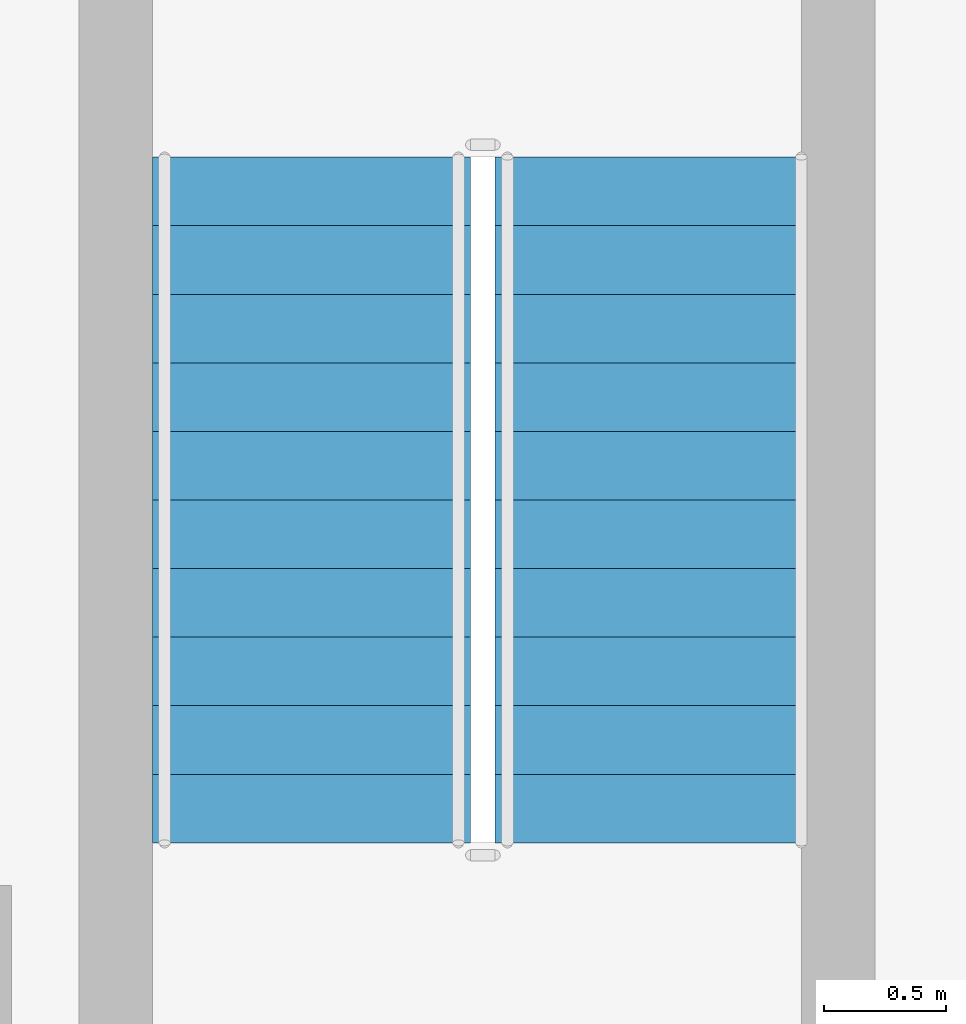
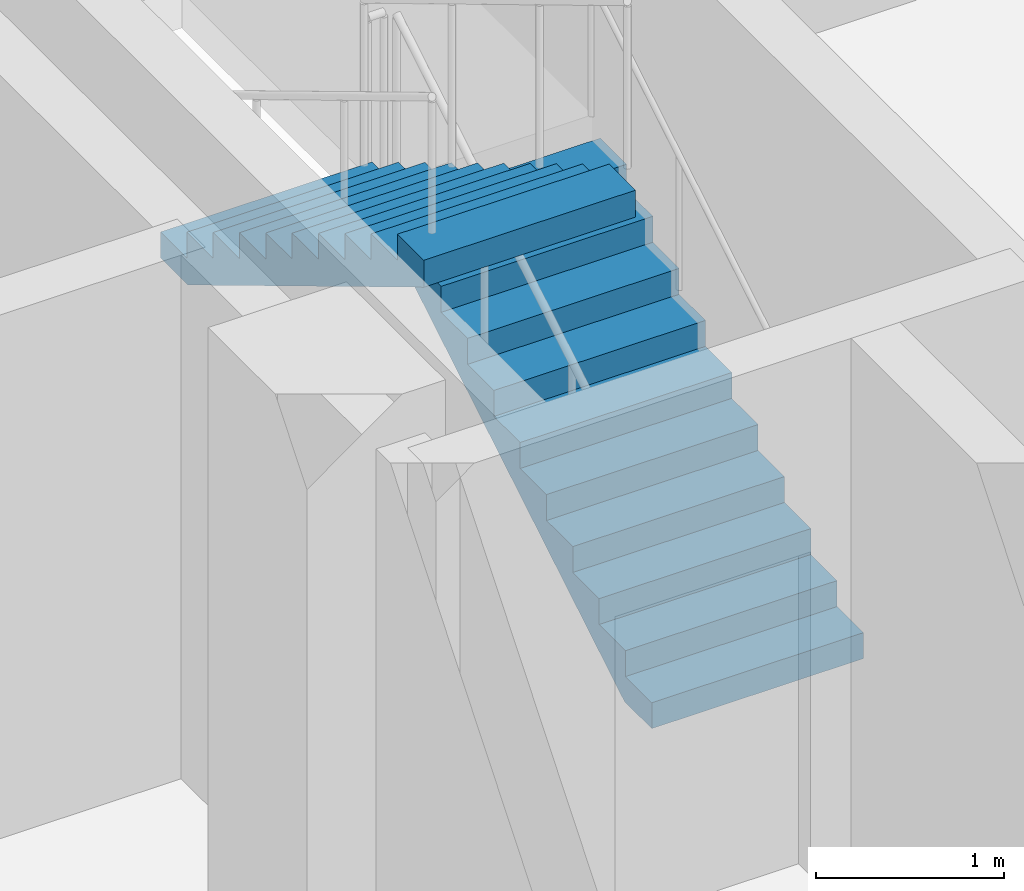
# One storey, part 16 of 25: 2 stair flights, 1 element without a shape of its own.
"""IFC4 building model written with IfcOpenShell, lengths in metres."""

import ifcopenshell
import ifcopenshell.guid

model = None  # the IFC model being written
_history = None  # IfcOwnerHistory: only IFC2X3 demands one
_inside = {}  # id of a spatial element -> (the spatial element, [elements in it])
_under = {}  # id of a project, library or spatial element -> (it, [spatial elements below it])
_declared = {}  # id of a project -> (the project, [libraries it declares])
_typed = {}  # id of a type object -> (the type object, [elements of that type])
_made_of = {}  # id of a material, layer set ... -> (it, [elements and type objects made of it])


def new_model(schema):
    """Start an empty IFC model of exactly this schema.

    Asked for "IFC4X3", IfcOpenShell would pick the latest addendum, in which some entities
    have other attributes; the version numbers below select the first issue.
    IFC2X3 requires an IfcOwnerHistory on every rooted entity: one is made here for all.
    """
    global model, _history
    if schema == "IFC4X3":
        model = ifcopenshell.file(schema_version=(4, 3, 0, 0))
    else:
        model = ifcopenshell.file(schema=schema)
    _inside.clear()
    _under.clear()
    _declared.clear()
    _typed.clear()
    _made_of.clear()
    _history = None
    if model.schema == "IFC2X3":
        org = make("IfcOrganization", Name="unknown")
        user = make(
            "IfcPersonAndOrganization",
            ThePerson=make("IfcPerson", FamilyName="unknown"),
            TheOrganization=org,
        )
        app = make(
            "IfcApplication",
            ApplicationDeveloper=org,
            Version="unknown",
            ApplicationFullName="unknown",
            ApplicationIdentifier="unknown",
        )
        _history = make(
            "IfcOwnerHistory",
            OwningUser=user,
            OwningApplication=app,
            ChangeAction="ADDED",
            CreationDate=0,
        )
    return model


def make(cls, **values):
    """One entity of the class cls with the attributes given. An attribute that is None is left unset."""
    return model.create_entity(
        cls, **{name: value for name, value in values.items() if value is not None}
    )


def rooted(cls, **values):
    """An entity with a GlobalId (a new one), such as an element, a storey or a relation."""
    return make(cls, GlobalId=ifcopenshell.guid.new(), OwnerHistory=_history, **values)


def si_unit(unit_type, name, prefix=None):
    """IfcSIUnit, for example si_unit("LENGTHUNIT", "METRE", prefix="MILLI")."""
    return make("IfcSIUnit", UnitType=unit_type, Prefix=prefix, Name=name)


def assignment(units):
    """IfcUnitAssignment: the units of a project."""
    return None if units is None else make("IfcUnitAssignment", Units=units)


def point(xyz):
    """IfcCartesianPoint."""
    return None if xyz is None else make("IfcCartesianPoint", Coordinates=xyz)


def direction(xyz):
    """IfcDirection."""
    return None if xyz is None else make("IfcDirection", DirectionRatios=xyz)


def frame(location, z_axis=None, x_axis=None):
    """IfcAxis2Placement3D, a coordinate frame: its origin and axes. An axis left out is left unset."""
    return make(
        "IfcAxis2Placement3D",
        Location=point(location),
        Axis=direction(z_axis),
        RefDirection=direction(x_axis),
    )


def origin():
    """The frame at (0, 0, 0) with its axes left unset."""
    return frame((0.0, 0.0, 0.0))


def place(relative_to, where):
    """IfcLocalPlacement: puts the frame where relative to a parent placement (None: the world)."""
    return make(
        "IfcLocalPlacement", PlacementRelTo=relative_to, RelativePlacement=where
    )


def context(
    kind, dimensions, precision=None, world=None, true_north=None, identifier=None
):
    """IfcGeometricRepresentationContext, for example the 3D "Model" context."""
    return make(
        "IfcGeometricRepresentationContext",
        ContextIdentifier=identifier,
        ContextType=kind,
        CoordinateSpaceDimension=dimensions,
        Precision=precision,
        WorldCoordinateSystem=world,
        TrueNorth=true_north,
    )


def subcontext(parent, identifier, kind, view, scale=None):
    """IfcGeometricRepresentationSubContext, for example "Body" below "Model"."""
    return make(
        "IfcGeometricRepresentationSubContext",
        ContextIdentifier=identifier,
        ContextType=kind,
        ParentContext=parent,
        TargetScale=scale,
        TargetView=view,
    )


def project(units=None, contexts=None):
    """IfcProject with its units and contexts."""
    return rooted(
        "IfcProject",
        Name="project",
        RepresentationContexts=contexts,
        UnitsInContext=assignment(units),
    )


def spatial(cls, under=None, at=None, **own):
    """A site, building, storey or space (cls), placed at a placement, below another one or the project."""
    s = rooted(cls, ObjectPlacement=at, **own)
    if under is not None:
        _under.setdefault(under.id(), (under, []))[1].append(s)
    return s


def point_list(points):
    """IfcCartesianPointList2D or 3D."""
    cls = (
        "IfcCartesianPointList2D" if len(points[0]) == 2 else "IfcCartesianPointList3D"
    )
    return make(cls, CoordList=points)


def triangles(points, corners, closed=None, point_numbers=None):
    """IfcTriangulatedFaceSet: each triangle names its three corners, points numbered from 1."""
    return make(
        "IfcTriangulatedFaceSet",
        Coordinates=point_list(points),
        Closed=closed,
        CoordIndex=corners,
        PnIndex=point_numbers,
    )


def shape(context_of_items, identifier, shape_type, items):
    """IfcShapeRepresentation: the items that make up one representation, for example the "Body"."""
    return make(
        "IfcShapeRepresentation",
        ContextOfItems=context_of_items,
        RepresentationIdentifier=identifier,
        RepresentationType=shape_type,
        Items=items,
    )


def source(mapping_origin, context_of_items, identifier, shape_type, items):
    """IfcRepresentationMap: a shape defined once, which mapped items show again and again."""
    return make(
        "IfcRepresentationMap",
        MappingOrigin=mapping_origin,
        MappedRepresentation=shape(context_of_items, identifier, shape_type, items),
    )


def transform(
    local_origin,
    x_axis=None,
    y_axis=None,
    z_axis=None,
    scale=None,
    scale2=None,
    scale3=None,
    uniform=True,
):
    """IfcCartesianTransformationOperator3D, or its non-uniform kind. x_axis, y_axis, z_axis: its Axis1, 2, 3."""
    if uniform:
        return make(
            "IfcCartesianTransformationOperator3D",
            Axis1=direction(x_axis),
            Axis2=direction(y_axis),
            LocalOrigin=point(local_origin),
            Scale=scale,
            Axis3=direction(z_axis),
        )
    return make(
        "IfcCartesianTransformationOperator3DnonUniform",
        Axis1=direction(x_axis),
        Axis2=direction(y_axis),
        LocalOrigin=point(local_origin),
        Scale=scale,
        Axis3=direction(z_axis),
        Scale2=scale2,
        Scale3=scale3,
    )


def mapped(mapping_source, mapping_target):
    """IfcMappedItem: shows the shape of a source again, moved by a transform."""
    return make(
        "IfcMappedItem", MappingSource=mapping_source, MappingTarget=mapping_target
    )


def material(Name=None, Category=None):
    """IfcMaterial."""
    return make("IfcMaterial", Name=Name, Category=Category)


def made_of(thing, what):
    """Note that an element or type object is made of a material, layer set ...; save() writes the relation."""
    if what is not None:
        _made_of.setdefault(what.id(), (what, []))[1].append(thing)
    return thing


def type_object(cls, material=None, **own):
    """A type object (cls), such as IfcWallType, which elements share."""
    return made_of(rooted(cls, **own), material)


def element(
    cls,
    number,
    at=None,
    inside=None,
    cuts=None,
    type_object=None,
    material=None,
    context=None,
    identifier="Body",
    shape_type=None,
    held_by="IfcProductDefinitionShape",
    body=None,
    shapes=None,
    **own,
):
    """One element of the class cls, such as IfcWall. Its Tag is "e" and its number.

    at: its placement. inside: the storey or other place that contains it. cuts: it is an
    opening in that element (IfcRelVoidsElement). A single representation is given by context,
    identifier, shape_type and body (its items); several are given by shapes. held_by: the class
    of the entity that holds the representations. save() writes the other relations.
    """
    e = rooted(cls, Tag="e%d" % number, ObjectPlacement=at, **own)
    if body is not None:
        shapes = [shape(context, identifier, shape_type, body)]
    if shapes is not None:
        e.Representation = make(held_by, Representations=shapes)
    if inside is not None:
        _inside.setdefault(inside.id(), (inside, []))[1].append(e)
    if cuts is not None:
        rooted(
            "IfcRelVoidsElement", RelatingBuildingElement=cuts, RelatedOpeningElement=e
        )
    if type_object is not None:
        _typed.setdefault(type_object.id(), (type_object, []))[1].append(e)
    return made_of(e, material)


def aggregate(whole, parts):
    """IfcRelAggregates: a whole, such as a stair, and the parts it consists of."""
    return rooted("IfcRelAggregates", RelatingObject=whole, RelatedObjects=parts)


def save(model, path):
    """Write the relations noted so far, then the file.

    IfcRelAggregates (storeys below a building ...), IfcRelContainedInSpatialStructure (elements
    in a storey), IfcRelDefinesByType, IfcRelAssociatesMaterial and IfcRelDeclares: one each for
    every whole, place, type object, material and project.
    """
    for whole, parts in _under.values():
        aggregate(whole, parts)
    for where, things in _inside.values():
        rooted(
            "IfcRelContainedInSpatialStructure",
            RelatedElements=things,
            RelatingStructure=where,
        )
    for kind, things in _typed.values():
        rooted("IfcRelDefinesByType", RelatedObjects=things, RelatingType=kind)
    for what, things in _made_of.values():
        rooted("IfcRelAssociatesMaterial", RelatedObjects=things, RelatingMaterial=what)
    for by, libraries in _declared.values():
        rooted("IfcRelDeclares", RelatingContext=by, RelatedDefinitions=libraries)
    model.write(path)


model = new_model("IFC4")

# Units and contexts
model_context = context("Model", 3, precision=1e-05, world=origin(), true_north=direction((0.0, 1.0)))
body_context = subcontext(model_context, "Body", "Model", "MODEL_VIEW")
ifc_project = project(units=[si_unit("LENGTHUNIT", "METRE"), si_unit("AREAUNIT", "SQUARE_METRE"), si_unit("VOLUMEUNIT", "CUBIC_METRE"), si_unit("PLANEANGLEUNIT", "RADIAN"), si_unit("MASSUNIT", "GRAM", prefix="KILO")], contexts=[model_context])

# Site, building, storey
site_placement = place(None, origin())
site = spatial("IfcSite", under=ifc_project, at=site_placement, CompositionType="ELEMENT")
building_placement = place(site_placement, origin())
building = spatial("IfcBuilding", under=site, at=building_placement, Name="Ogive Portal Towers", CompositionType="ELEMENT")
storey_placement = place(building_placement, frame((0.0, 0.0, 105.60009765625)))
storey = spatial("IfcBuildingStorey", under=building, at=storey_placement, Name="L25", CompositionType="ELEMENT", Elevation=105.60009765625)

# Stair, stair flights
ifc_material = material(Name="Concrete C40/50", Category="concrete")
stair_type = type_object("IfcStairType", Name="INT-STAIR", PredefinedType="HALF_TURN_STAIR", material=ifc_material)
stair_placement = place(storey_placement, origin())
stair = element("IfcStair", 1, at=stair_placement, inside=storey, type_object=stair_type, Name="L25 Exit Stair ST-A3", PredefinedType="HALF_TURN_STAIR")
stair_flight_type = type_object("IfcStairFlightType", Name="INT-FLIGHT", PredefinedType="STRAIGHT", material=ifc_material)
shared_shape = source(origin(), body_context, "Body", "Tessellation", [
    triangles([(0.0, -0.650146484375, 0.0), (0.0, -0.376220703125, 0.0), (0.0, -0.192626953125, 0.0), (0.0, -0.081298828125, 0.0), (0.0, -0.024169921875, 0.0), (0.0, -0.003173828125, 0.0), (0.0, 0.0, 0.0), (0.0, 0.0029296875, 0.0), (0.0, 0.02392578125, 0.0), (0.0, 0.0810546875, 0.0), (0.0, 0.1923828125, 0.0), (0.0, 0.3759765625, 0.0), (0.0, 0.64990234375, 0.0), (0.0, -0.650146484375, 0.168212890625), (0.0, -0.376220703125, 0.168212890625), (0.0, -0.192626953125, 0.168212890625), (0.0, -0.081298828125, 0.168212890625), (0.0, -0.024169921875, 0.168212890625), (0.0, -0.003173828125, 0.168212890625), (0.0, 0.0, 0.168212890625), (0.0, 0.0029296875, 0.168212890625), (0.0, 0.02392578125, 0.168212890625), (0.0, 0.0810546875, 0.168212890625), (0.0, 0.1923828125, 0.168212890625), (0.0, 0.3759765625, 0.168212890625), (0.0, 0.64990234375, 0.168212890625), (0.280029296875, -0.650146484375, 0.168212890625), (0.280029296875, -0.376220703125, 0.168212890625), (0.280029296875, -0.192626953125, 0.168212890625), (0.280029296875, -0.081298828125, 0.168212890625), (0.280029296875, -0.024169921875, 0.168212890625), (0.280029296875, -0.003173828125, 0.168212890625), (0.280029296875, 0.0, 0.168212890625), (0.280029296875, 0.0029296875, 0.168212890625), (0.280029296875, 0.02392578125, 0.168212890625), (0.280029296875, 0.0810546875, 0.168212890625), (0.280029296875, 0.1923828125, 0.168212890625), (0.280029296875, 0.3759765625, 0.168212890625), (0.280029296875, 0.64990234375, 0.168212890625), (0.280029296875, -0.650146484375, 0.33642578125), (0.280029296875, -0.376220703125, 0.33642578125), (0.280029296875, -0.192626953125, 0.33642578125), (0.280029296875, -0.081298828125, 0.33642578125), (0.280029296875, -0.024169921875, 0.33642578125), (0.280029296875, -0.003173828125, 0.33642578125), (0.280029296875, 0.0, 0.33642578125), (0.280029296875, 0.0029296875, 0.33642578125), (0.280029296875, 0.02392578125, 0.33642578125), (0.280029296875, 0.0810546875, 0.33642578125), (0.280029296875, 0.1923828125, 0.33642578125), (0.280029296875, 0.3759765625, 0.33642578125), (0.280029296875, 0.64990234375, 0.33642578125), (0.56005859375, -0.650146484375, 0.33642578125), (0.56005859375, -0.376220703125, 0.33642578125), (0.56005859375, -0.192626953125, 0.33642578125), (0.56005859375, -0.081298828125, 0.33642578125), (0.56005859375, -0.024169921875, 0.33642578125), (0.56005859375, -0.003173828125, 0.33642578125), (0.56005859375, 0.0, 0.33642578125), (0.56005859375, 0.0029296875, 0.33642578125), (0.56005859375, 0.02392578125, 0.33642578125), (0.56005859375, 0.0810546875, 0.33642578125), (0.56005859375, 0.1923828125, 0.33642578125), (0.56005859375, 0.3759765625, 0.33642578125), (0.56005859375, 0.64990234375, 0.33642578125), (0.56005859375, -0.650146484375, 0.504638671875), (0.56005859375, -0.376220703125, 0.504638671875), (0.56005859375, -0.192626953125, 0.504638671875), (0.56005859375, -0.081298828125, 0.504638671875), (0.56005859375, -0.024169921875, 0.504638671875), (0.56005859375, -0.003173828125, 0.504638671875), (0.56005859375, 0.0, 0.504638671875), (0.56005859375, 0.0029296875, 0.504638671875), (0.56005859375, 0.02392578125, 0.504638671875), (0.56005859375, 0.0810546875, 0.504638671875), (0.56005859375, 0.1923828125, 0.504638671875), (0.56005859375, 0.3759765625, 0.504638671875), (0.56005859375, 0.64990234375, 0.504638671875), (0.840087890625, -0.650146484375, 0.504638671875), (0.840087890625, -0.376220703125, 0.504638671875), (0.840087890625, -0.192626953125, 0.504638671875), (0.840087890625, -0.081298828125, 0.504638671875), (0.840087890625, -0.024169921875, 0.504638671875), (0.840087890625, -0.003173828125, 0.504638671875), (0.840087890625, 0.0, 0.504638671875), (0.840087890625, 0.0029296875, 0.504638671875), (0.840087890625, 0.02392578125, 0.504638671875), (0.840087890625, 0.0810546875, 0.504638671875), (0.840087890625, 0.1923828125, 0.504638671875), (0.840087890625, 0.3759765625, 0.504638671875), (0.840087890625, 0.64990234375, 0.504638671875), (0.840087890625, -0.650146484375, 0.672607421875), (0.840087890625, -0.376220703125, 0.672607421875), (0.840087890625, -0.192626953125, 0.672607421875), (0.840087890625, -0.081298828125, 0.672607421875), (0.840087890625, -0.024169921875, 0.672607421875), (0.840087890625, -0.003173828125, 0.672607421875), (0.840087890625, 0.0, 0.672607421875), (0.840087890625, 0.0029296875, 0.672607421875), (0.840087890625, 0.02392578125, 0.672607421875), (0.840087890625, 0.0810546875, 0.672607421875), (0.840087890625, 0.1923828125, 0.672607421875), (0.840087890625, 0.3759765625, 0.672607421875), (0.840087890625, 0.64990234375, 0.672607421875), (1.1201171875, -0.650146484375, 0.672607421875), (1.1201171875, -0.376220703125, 0.672607421875), (1.1201171875, -0.192626953125, 0.672607421875), (1.1201171875, -0.081298828125, 0.672607421875), (1.1201171875, -0.024169921875, 0.672607421875), (1.1201171875, -0.003173828125, 0.672607421875), (1.1201171875, 0.0, 0.672607421875), (1.1201171875, 0.0029296875, 0.672607421875), (1.1201171875, 0.02392578125, 0.672607421875), (1.1201171875, 0.0810546875, 0.672607421875), (1.1201171875, 0.1923828125, 0.672607421875), (1.1201171875, 0.3759765625, 0.672607421875), (1.1201171875, 0.64990234375, 0.672607421875), (1.1201171875, -0.650146484375, 0.8408203125), (1.1201171875, -0.376220703125, 0.8408203125), (1.1201171875, -0.192626953125, 0.8408203125), (1.1201171875, -0.081298828125, 0.8408203125), (1.1201171875, -0.024169921875, 0.8408203125), (1.1201171875, -0.003173828125, 0.8408203125), (1.1201171875, 0.0, 0.8408203125), (1.1201171875, 0.0029296875, 0.8408203125), (1.1201171875, 0.02392578125, 0.8408203125), (1.1201171875, 0.0810546875, 0.8408203125), (1.1201171875, 0.1923828125, 0.8408203125), (1.1201171875, 0.3759765625, 0.8408203125), (1.1201171875, 0.64990234375, 0.8408203125), (1.39990234375, -0.650146484375, 0.8408203125), (1.39990234375, -0.376220703125, 0.8408203125), (1.39990234375, -0.192626953125, 0.8408203125), (1.39990234375, -0.081298828125, 0.8408203125), (1.39990234375, -0.024169921875, 0.8408203125), (1.39990234375, -0.003173828125, 0.8408203125), (1.39990234375, 0.0, 0.8408203125), (1.39990234375, 0.0029296875, 0.8408203125), (1.39990234375, 0.02392578125, 0.8408203125), (1.39990234375, 0.0810546875, 0.8408203125), (1.39990234375, 0.1923828125, 0.8408203125), (1.39990234375, 0.3759765625, 0.8408203125), (1.39990234375, 0.64990234375, 0.8408203125), (1.39990234375, -0.650146484375, 1.009033203125), (1.39990234375, -0.376220703125, 1.009033203125), (1.39990234375, -0.192626953125, 1.009033203125), (1.39990234375, -0.081298828125, 1.009033203125), (1.39990234375, -0.024169921875, 1.009033203125), (1.39990234375, -0.003173828125, 1.009033203125), (1.39990234375, 0.0, 1.009033203125), (1.39990234375, 0.0029296875, 1.009033203125), (1.39990234375, 0.02392578125, 1.009033203125), (1.39990234375, 0.0810546875, 1.009033203125), (1.39990234375, 0.1923828125, 1.009033203125), (1.39990234375, 0.3759765625, 1.009033203125), (1.39990234375, 0.64990234375, 1.009033203125), (1.679931640625, -0.650146484375, 1.009033203125), (1.679931640625, -0.376220703125, 1.009033203125), (1.679931640625, -0.192626953125, 1.009033203125), (1.679931640625, -0.081298828125, 1.009033203125), (1.679931640625, -0.024169921875, 1.009033203125), (1.679931640625, -0.003173828125, 1.009033203125), (1.679931640625, 0.0, 1.009033203125), (1.679931640625, 0.0029296875, 1.009033203125), (1.679931640625, 0.02392578125, 1.009033203125), (1.679931640625, 0.0810546875, 1.009033203125), (1.679931640625, 0.1923828125, 1.009033203125), (1.679931640625, 0.3759765625, 1.009033203125), (1.679931640625, 0.64990234375, 1.009033203125), (1.679931640625, -0.650146484375, 1.17724609375), (1.679931640625, -0.376220703125, 1.17724609375), (1.679931640625, -0.192626953125, 1.17724609375), (1.679931640625, -0.081298828125, 1.17724609375), (1.679931640625, -0.024169921875, 1.17724609375), (1.679931640625, -0.003173828125, 1.17724609375), (1.679931640625, 0.0, 1.17724609375), (1.679931640625, 0.0029296875, 1.17724609375), (1.679931640625, 0.02392578125, 1.17724609375), (1.679931640625, 0.0810546875, 1.17724609375), (1.679931640625, 0.1923828125, 1.17724609375), (1.679931640625, 0.3759765625, 1.17724609375), (1.679931640625, 0.64990234375, 1.17724609375), (1.9599609375, -0.650146484375, 1.17724609375), (1.9599609375, -0.376220703125, 1.17724609375), (1.9599609375, -0.192626953125, 1.17724609375), (1.9599609375, -0.081298828125, 1.17724609375), (1.9599609375, -0.024169921875, 1.17724609375), (1.9599609375, -0.003173828125, 1.17724609375), (1.9599609375, 0.0, 1.17724609375), (1.9599609375, 0.0029296875, 1.17724609375), (1.9599609375, 0.02392578125, 1.17724609375), (1.9599609375, 0.0810546875, 1.17724609375), (1.9599609375, 0.1923828125, 1.17724609375), (1.9599609375, 0.3759765625, 1.17724609375), (1.9599609375, 0.64990234375, 1.17724609375), (1.9599609375, -0.650146484375, 1.345458984375), (1.9599609375, -0.376220703125, 1.345458984375), (1.9599609375, -0.192626953125, 1.345458984375), (1.9599609375, -0.081298828125, 1.345458984375), (1.9599609375, -0.024169921875, 1.345458984375), (1.9599609375, -0.003173828125, 1.345458984375), (1.9599609375, 0.0, 1.345458984375), (1.9599609375, 0.0029296875, 1.345458984375), (1.9599609375, 0.02392578125, 1.345458984375), (1.9599609375, 0.0810546875, 1.345458984375), (1.9599609375, 0.1923828125, 1.345458984375), (1.9599609375, 0.3759765625, 1.345458984375), (1.9599609375, 0.64990234375, 1.345458984375), (2.239990234375, -0.650146484375, 1.345458984375), (2.239990234375, -0.376220703125, 1.345458984375), (2.239990234375, -0.192626953125, 1.345458984375), (2.239990234375, -0.081298828125, 1.345458984375), (2.239990234375, -0.024169921875, 1.345458984375), (2.239990234375, -0.003173828125, 1.345458984375), (2.239990234375, 0.0, 1.345458984375), (2.239990234375, 0.0029296875, 1.345458984375), (2.239990234375, 0.02392578125, 1.345458984375), (2.239990234375, 0.0810546875, 1.345458984375), (2.239990234375, 0.1923828125, 1.345458984375), (2.239990234375, 0.3759765625, 1.345458984375), (2.239990234375, 0.64990234375, 1.345458984375), (2.239990234375, -0.650146484375, 1.513671875), (2.239990234375, -0.376220703125, 1.513671875), (2.239990234375, -0.192626953125, 1.513671875), (2.239990234375, -0.081298828125, 1.513671875), (2.239990234375, -0.024169921875, 1.513671875), (2.239990234375, -0.003173828125, 1.513671875), (2.239990234375, 0.0, 1.513671875), (2.239990234375, 0.0029296875, 1.513671875), (2.239990234375, 0.02392578125, 1.513671875), (2.239990234375, 0.0810546875, 1.513671875), (2.239990234375, 0.1923828125, 1.513671875), (2.239990234375, 0.3759765625, 1.513671875), (2.239990234375, 0.64990234375, 1.513671875), (2.52001953125, -0.650146484375, 1.513671875), (2.52001953125, -0.376220703125, 1.513671875), (2.52001953125, -0.192626953125, 1.513671875), (2.52001953125, -0.081298828125, 1.513671875), (2.52001953125, -0.024169921875, 1.513671875), (2.52001953125, -0.003173828125, 1.513671875), (2.52001953125, 0.0, 1.513671875), (2.52001953125, 0.0029296875, 1.513671875), (2.52001953125, 0.02392578125, 1.513671875), (2.52001953125, 0.0810546875, 1.513671875), (2.52001953125, 0.1923828125, 1.513671875), (2.52001953125, 0.3759765625, 1.513671875), (2.52001953125, 0.64990234375, 1.513671875), (2.52001953125, -0.650146484375, 1.681884765625), (2.52001953125, -0.376220703125, 1.681884765625), (2.52001953125, -0.192626953125, 1.681884765625), (2.52001953125, -0.081298828125, 1.681884765625), (2.52001953125, -0.024169921875, 1.681884765625), (2.52001953125, -0.003173828125, 1.681884765625), (2.52001953125, 0.0, 1.681884765625), (2.52001953125, 0.0029296875, 1.681884765625), (2.52001953125, 0.02392578125, 1.681884765625), (2.52001953125, 0.0810546875, 1.681884765625), (2.52001953125, 0.1923828125, 1.681884765625), (2.52001953125, 0.3759765625, 1.681884765625), (2.52001953125, 0.64990234375, 1.681884765625), (2.800048828125, -0.650146484375, 1.681884765625), (2.800048828125, -0.376220703125, 1.681884765625), (2.800048828125, -0.192626953125, 1.681884765625), (2.800048828125, -0.081298828125, 1.681884765625), (2.800048828125, -0.024169921875, 1.681884765625), (2.800048828125, -0.003173828125, 1.681884765625), (2.800048828125, 0.0, 1.681884765625), (2.800048828125, 0.0029296875, 1.681884765625), (2.800048828125, 0.02392578125, 1.681884765625), (2.800048828125, 0.0810546875, 1.681884765625), (2.800048828125, 0.1923828125, 1.681884765625), (2.800048828125, 0.3759765625, 1.681884765625), (2.800048828125, 0.64990234375, 1.681884765625), (2.800048828125, -0.650146484375, 1.5068359375), (2.800048828125, -0.376220703125, 1.5068359375), (2.800048828125, -0.192626953125, 1.5068359375), (2.800048828125, -0.081298828125, 1.5068359375), (2.800048828125, -0.024169921875, 1.5068359375), (2.800048828125, -0.003173828125, 1.5068359375), (2.800048828125, 0.0, 1.5068359375), (2.800048828125, 0.0029296875, 1.5068359375), (2.800048828125, 0.02392578125, 1.5068359375), (2.800048828125, 0.0810546875, 1.5068359375), (2.800048828125, 0.1923828125, 1.5068359375), (2.800048828125, 0.3759765625, 1.5068359375), (2.800048828125, 0.64990234375, 1.5068359375), (0.291015625, -0.650146484375, 0.0), (0.291015625, -0.376220703125, 0.0), (0.291015625, -0.192626953125, 0.0), (0.291015625, -0.081298828125, 0.0), (0.291015625, -0.024169921875, 0.0), (0.291015625, -0.003173828125, 0.0), (0.291015625, 0.0, 0.0), (0.291015625, 0.0029296875, 0.0), (0.291015625, 0.02392578125, 0.0), (0.291015625, 0.0810546875, 0.0), (0.291015625, 0.1923828125, 0.0), (0.291015625, 0.3759765625, 0.0), (0.291015625, 0.64990234375, 0.0)], [[1, 14, 15], [1, 15, 2], [2, 15, 16], [2, 16, 3], [3, 16, 17], [3, 17, 4], [4, 17, 18], [4, 18, 5], [5, 18, 19], [5, 19, 6], [6, 19, 20], [6, 20, 7], [7, 20, 21], [7, 21, 8], [8, 21, 22], [8, 22, 9], [9, 22, 23], [9, 23, 10], [10, 23, 24], [10, 24, 11], [11, 24, 25], [11, 25, 12], [12, 25, 26], [12, 26, 13], [14, 27, 28], [14, 28, 15], [15, 28, 29], [15, 29, 16], [16, 29, 30], [16, 30, 17], [17, 30, 31], [17, 31, 18], [18, 31, 32], [18, 32, 19], [19, 32, 33], [19, 33, 20], [20, 33, 34], [20, 34, 21], [21, 34, 35], [21, 35, 22], [22, 35, 36], [22, 36, 23], [23, 36, 37], [23, 37, 24], [24, 37, 38], [24, 38, 25], [25, 38, 39], [25, 39, 26], [27, 40, 41], [27, 41, 28], [28, 41, 42], [28, 42, 29], [29, 42, 43], [29, 43, 30], [30, 43, 44], [30, 44, 31], [31, 44, 45], [31, 45, 32], [32, 45, 46], [32, 46, 33], [33, 46, 47], [33, 47, 34], [34, 47, 48], [34, 48, 35], [35, 48, 49], [35, 49, 36], [36, 49, 50], [36, 50, 37], [37, 50, 51], [37, 51, 38], [38, 51, 52], [38, 52, 39], [40, 53, 54], [40, 54, 41], [41, 54, 55], [41, 55, 42], [42, 55, 56], [42, 56, 43], [43, 56, 57], [43, 57, 44], [44, 57, 58], [44, 58, 45], [45, 58, 59], [45, 59, 46], [46, 59, 60], [46, 60, 47], [47, 60, 61], [47, 61, 48], [48, 61, 62], [48, 62, 49], [49, 62, 63], [49, 63, 50], [50, 63, 64], [50, 64, 51], [51, 64, 65], [51, 65, 52], [53, 66, 67], [53, 67, 54], [54, 67, 68], [54, 68, 55], [55, 68, 69], [55, 69, 56], [56, 69, 70], [56, 70, 57], [57, 70, 71], [57, 71, 58], [58, 71, 72], [58, 72, 59], [59, 72, 73], [59, 73, 60], [60, 73, 74], [60, 74, 61], [61, 74, 75], [61, 75, 62], [62, 75, 76], [62, 76, 63], [63, 76, 77], [63, 77, 64], [64, 77, 78], [64, 78, 65], [66, 79, 80], [66, 80, 67], [67, 80, 81], [67, 81, 68], [68, 81, 82], [68, 82, 69], [69, 82, 83], [69, 83, 70], [70, 83, 84], [70, 84, 71], [71, 84, 85], [71, 85, 72], [72, 85, 86], [72, 86, 73], [73, 86, 87], [73, 87, 74], [74, 87, 88], [74, 88, 75], [75, 88, 89], [75, 89, 76], [76, 89, 90], [76, 90, 77], [77, 90, 91], [77, 91, 78], [79, 92, 93], [79, 93, 80], [80, 93, 94], [80, 94, 81], [81, 94, 95], [81, 95, 82], [82, 95, 96], [82, 96, 83], [83, 96, 97], [83, 97, 84], [84, 97, 98], [84, 98, 85], [85, 98, 99], [85, 99, 86], [86, 99, 100], [86, 100, 87], [87, 100, 101], [87, 101, 88], [88, 101, 102], [88, 102, 89], [89, 102, 103], [89, 103, 90], [90, 103, 104], [90, 104, 91], [92, 105, 106], [92, 106, 93], [93, 106, 107], [93, 107, 94], [94, 107, 108], [94, 108, 95], [95, 108, 109], [95, 109, 96], [96, 109, 110], [96, 110, 97], [97, 110, 111], [97, 111, 98], [98, 111, 112], [98, 112, 99], [99, 112, 113], [99, 113, 100], [100, 113, 114], [100, 114, 101], [101, 114, 115], [101, 115, 102], [102, 115, 116], [102, 116, 103], [103, 116, 117], [103, 117, 104], [105, 118, 119], [105, 119, 106], [106, 119, 120], [106, 120, 107], [107, 120, 121], [107, 121, 108], [108, 121, 122], [108, 122, 109], [109, 122, 123], [109, 123, 110], [110, 123, 124], [110, 124, 111], [111, 124, 125], [111, 125, 112], [112, 125, 126], [112, 126, 113], [113, 126, 127], [113, 127, 114], [114, 127, 128], [114, 128, 115], [115, 128, 129], [115, 129, 116], [116, 129, 130], [116, 130, 117], [118, 131, 132], [118, 132, 119], [119, 132, 133], [119, 133, 120], [120, 133, 134], [120, 134, 121], [121, 134, 135], [121, 135, 122], [122, 135, 136], [122, 136, 123], [123, 136, 137], [123, 137, 124], [124, 137, 138], [124, 138, 125], [125, 138, 139], [125, 139, 126], [126, 139, 140], [126, 140, 127], [127, 140, 141], [127, 141, 128], [128, 141, 142], [128, 142, 129], [129, 142, 143], [129, 143, 130], [131, 144, 145], [131, 145, 132], [132, 145, 146], [132, 146, 133], [133, 146, 147], [133, 147, 134], [134, 147, 148], [134, 148, 135], [135, 148, 149], [135, 149, 136], [136, 149, 150], [136, 150, 137], [137, 150, 151], [137, 151, 138], [138, 151, 152], [138, 152, 139], [139, 152, 153], [139, 153, 140], [140, 153, 154], [140, 154, 141], [141, 154, 155], [141, 155, 142], [142, 155, 156], [142, 156, 143], [144, 157, 158], [144, 158, 145], [145, 158, 159], [145, 159, 146], [146, 159, 160], [146, 160, 147], [147, 160, 161], [147, 161, 148], [148, 161, 162], [148, 162, 149], [149, 162, 163], [149, 163, 150], [150, 163, 164], [150, 164, 151], [151, 164, 165], [151, 165, 152], [152, 165, 166], [152, 166, 153], [153, 166, 167], [153, 167, 154], [154, 167, 168], [154, 168, 155], [155, 168, 169], [155, 169, 156], [157, 170, 171], [157, 171, 158], [158, 171, 172], [158, 172, 159], [159, 172, 173], [159, 173, 160], [160, 173, 174], [160, 174, 161], [161, 174, 175], [161, 175, 162], [162, 175, 176], [162, 176, 163], [163, 176, 177], [163, 177, 164], [164, 177, 178], [164, 178, 165], [165, 178, 179], [165, 179, 166], [166, 179, 180], [166, 180, 167], [167, 180, 181], [167, 181, 168], [168, 181, 182], [168, 182, 169], [170, 183, 184], [170, 184, 171], [171, 184, 185], [171, 185, 172], [172, 185, 186], [172, 186, 173], [173, 186, 187], [173, 187, 174], [174, 187, 188], [174, 188, 175], [175, 188, 189], [175, 189, 176], [176, 189, 190], [176, 190, 177], [177, 190, 191], [177, 191, 178], [178, 191, 192], [178, 192, 179], [179, 192, 193], [179, 193, 180], [180, 193, 194], [180, 194, 181], [181, 194, 195], [181, 195, 182], [183, 196, 197], [183, 197, 184], [184, 197, 198], [184, 198, 185], [185, 198, 199], [185, 199, 186], [186, 199, 200], [186, 200, 187], [187, 200, 201], [187, 201, 188], [188, 201, 202], [188, 202, 189], [189, 202, 203], [189, 203, 190], [190, 203, 204], [190, 204, 191], [191, 204, 205], [191, 205, 192], [192, 205, 206], [192, 206, 193], [193, 206, 207], [193, 207, 194], [194, 207, 208], [194, 208, 195], [196, 209, 210], [196, 210, 197], [197, 210, 211], [197, 211, 198], [198, 211, 212], [198, 212, 199], [199, 212, 213], [199, 213, 200], [200, 213, 214], [200, 214, 201], [201, 214, 215], [201, 215, 202], [202, 215, 216], [202, 216, 203], [203, 216, 217], [203, 217, 204], [204, 217, 218], [204, 218, 205], [205, 218, 219], [205, 219, 206], [206, 219, 220], [206, 220, 207], [207, 220, 221], [207, 221, 208], [209, 222, 223], [209, 223, 210], [210, 223, 224], [210, 224, 211], [211, 224, 225], [211, 225, 212], [212, 225, 226], [212, 226, 213], [213, 226, 227], [213, 227, 214], [214, 227, 228], [214, 228, 215], [215, 228, 229], [215, 229, 216], [216, 229, 230], [216, 230, 217], [217, 230, 231], [217, 231, 218], [218, 231, 232], [218, 232, 219], [219, 232, 233], [219, 233, 220], [220, 233, 234], [220, 234, 221], [222, 235, 236], [222, 236, 223], [223, 236, 237], [223, 237, 224], [224, 237, 238], [224, 238, 225], [225, 238, 239], [225, 239, 226], [226, 239, 240], [226, 240, 227], [227, 240, 241], [227, 241, 228], [228, 241, 242], [228, 242, 229], [229, 242, 243], [229, 243, 230], [230, 243, 244], [230, 244, 231], [231, 244, 245], [231, 245, 232], [232, 245, 246], [232, 246, 233], [233, 246, 247], [233, 247, 234], [235, 248, 249], [235, 249, 236], [236, 249, 250], [236, 250, 237], [237, 250, 251], [237, 251, 238], [238, 251, 252], [238, 252, 239], [239, 252, 253], [239, 253, 240], [240, 253, 254], [240, 254, 241], [241, 254, 255], [241, 255, 242], [242, 255, 256], [242, 256, 243], [243, 256, 257], [243, 257, 244], [244, 257, 258], [244, 258, 245], [245, 258, 259], [245, 259, 246], [246, 259, 260], [246, 260, 247], [248, 261, 262], [248, 262, 249], [249, 262, 263], [249, 263, 250], [250, 263, 264], [250, 264, 251], [251, 264, 265], [251, 265, 252], [252, 265, 266], [252, 266, 253], [253, 266, 267], [253, 267, 254], [254, 267, 268], [254, 268, 255], [255, 268, 269], [255, 269, 256], [256, 269, 270], [256, 270, 257], [257, 270, 271], [257, 271, 258], [258, 271, 272], [258, 272, 259], [259, 272, 273], [259, 273, 260], [261, 274, 275], [261, 275, 262], [262, 275, 276], [262, 276, 263], [263, 276, 277], [263, 277, 264], [264, 277, 278], [264, 278, 265], [265, 278, 279], [265, 279, 266], [266, 279, 280], [266, 280, 267], [267, 280, 281], [267, 281, 268], [268, 281, 282], [268, 282, 269], [269, 282, 283], [269, 283, 270], [270, 283, 284], [270, 284, 271], [271, 284, 285], [271, 285, 272], [272, 285, 286], [272, 286, 273], [274, 287, 288], [274, 288, 275], [275, 288, 289], [275, 289, 276], [276, 289, 290], [276, 290, 277], [277, 290, 291], [277, 291, 278], [278, 291, 292], [278, 292, 279], [279, 292, 293], [279, 293, 280], [280, 293, 294], [280, 294, 281], [281, 294, 295], [281, 295, 282], [282, 295, 296], [282, 296, 283], [283, 296, 297], [283, 297, 284], [284, 297, 298], [284, 298, 285], [285, 298, 299], [285, 299, 286], [287, 1, 2], [287, 2, 288], [288, 2, 3], [288, 3, 289], [289, 3, 4], [289, 4, 290], [290, 4, 5], [290, 5, 291], [291, 5, 6], [291, 6, 292], [292, 6, 7], [292, 7, 293], [293, 7, 8], [293, 8, 294], [294, 8, 9], [294, 9, 295], [295, 9, 10], [295, 10, 296], [296, 10, 11], [296, 11, 297], [297, 11, 12], [297, 12, 298], [298, 12, 13], [298, 13, 299], [1, 287, 274], [13, 286, 299], [274, 261, 248], [286, 260, 273], [274, 248, 235], [286, 247, 260], [274, 235, 222], [286, 234, 247], [274, 222, 209], [286, 221, 234], [209, 196, 183], [221, 195, 208], [274, 209, 183], [286, 195, 221], [183, 170, 157], [195, 169, 182], [274, 183, 157], [286, 169, 195], [157, 144, 131], [169, 143, 156], [274, 157, 131], [286, 143, 169], [131, 118, 105], [143, 117, 130], [274, 131, 105], [286, 117, 143], [1, 274, 105], [13, 117, 286], [105, 92, 79], [117, 91, 104], [79, 66, 53], [91, 65, 78], [105, 79, 53], [117, 65, 91], [53, 40, 27], [65, 39, 52], [105, 53, 27], [117, 39, 65], [1, 105, 27], [13, 39, 117], [27, 14, 1], [39, 13, 26]], closed=True),
])
stair_flight_1_placement = place(storey_placement, frame((43.550048828125, 67.199951171875, 0.0), z_axis=(0.0, 0.0, 1.0), x_axis=(0.0, 1.0, 0.0)))
stair_flight_1 = element("IfcStairFlight", 2, at=stair_flight_1_placement, type_object=stair_flight_type, Name="ST-A3 flight 1", NumberOfRisers=11, NumberOfTreads=10, PredefinedType="STRAIGHT", RiserHeight=0.168181818, TreadLength=0.28, context=body_context, shape_type="MappedRepresentation", body=[
    mapped(shared_shape, transform((0.0, 0.0, 0.0), scale=1.0)),
])
stair_flight_2_placement = place(storey_placement, frame((42.14990234375, 70.0, 1.849853515625), z_axis=(0.0, 0.0, 1.0), x_axis=(0.0, -1.0, 0.0)))
stair_flight_2 = element("IfcStairFlight", 3, at=stair_flight_2_placement, type_object=stair_flight_type, Name="ST-A3 flight 2", NumberOfRisers=11, NumberOfTreads=10, PredefinedType="STRAIGHT", RiserHeight=0.168181818, TreadLength=0.28, context=body_context, shape_type="MappedRepresentation", body=[
    mapped(shared_shape, transform((0.0, 0.0, 0.0), scale=1.0)),
])
aggregate(stair, [stair_flight_1, stair_flight_2])

save(model, "model.ifc")
